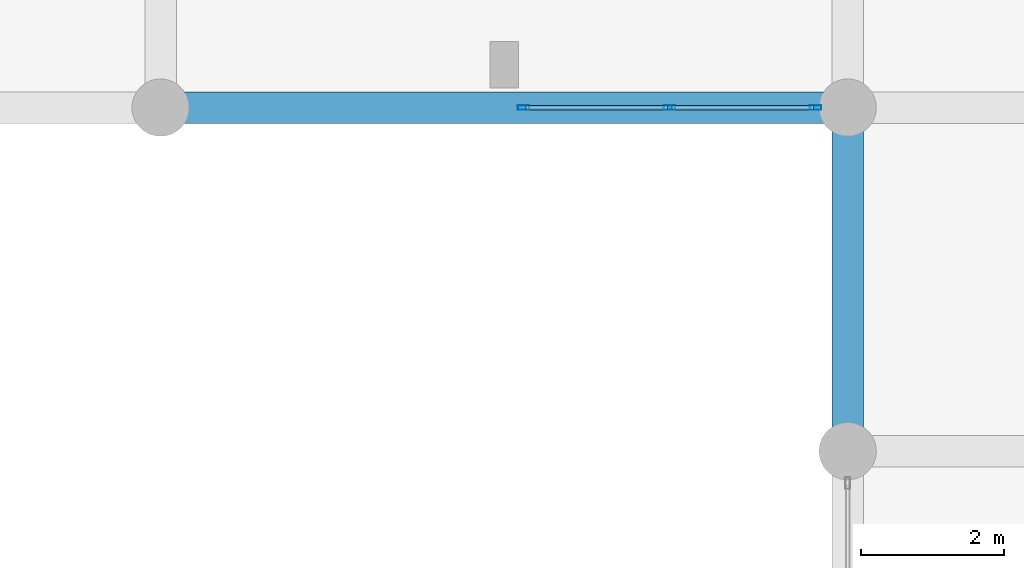
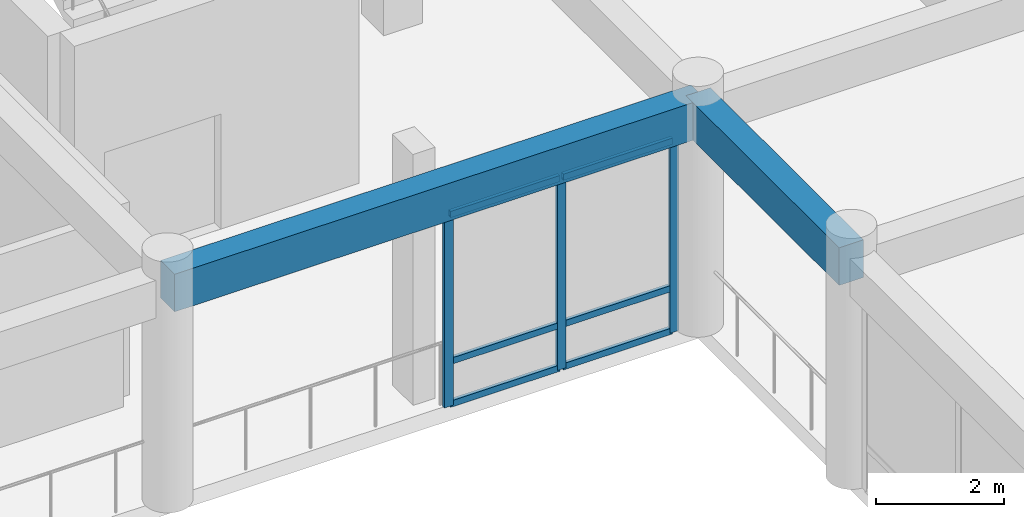
# One storey, part 42 of 133: 9 members, 2 beams, 1 element without a shape of its own.
"""IFC4 building model written with IfcOpenShell, lengths in metres."""

from ifc_helpers import new_model, si_unit, direction, frame, origin, origin_2d, place, context, subcontext, project, spatial, rectangle, hollow_rectangle, extrude, material, layer, layer_set, material_profile, profile_set, type_object, element, aggregate, save


model = new_model("IFC4")

# Units and contexts
model_context = context("Model", 3, precision=1e-05, world=origin(), true_north=direction((0.0, 1.0)))
body_context = subcontext(model_context, "Body", "Model", "MODEL_VIEW")
ifc_project = project(units=[si_unit("LENGTHUNIT", "METRE"), si_unit("AREAUNIT", "SQUARE_METRE"), si_unit("VOLUMEUNIT", "CUBIC_METRE"), si_unit("PLANEANGLEUNIT", "RADIAN"), si_unit("MASSUNIT", "GRAM", prefix="KILO")], contexts=[model_context])

# Site, building, storey
site_placement = place(None, origin())
site = spatial("IfcSite", under=ifc_project, at=site_placement, CompositionType="ELEMENT")
building_placement = place(site_placement, origin())
building = spatial("IfcBuilding", under=site, at=building_placement, Name="Nakhvara Creek Congress Hotel", CompositionType="ELEMENT")
storey_placement = place(building_placement, frame((0.0, 0.0, 11.39990234375)))
storey = spatial("IfcBuildingStorey", under=building, at=storey_placement, Name="L02", CompositionType="ELEMENT", Elevation=11.39990234375)

# Beams
ifc_material_1 = material(Name="Concrete C40/50", Category="concrete")
ifc_material_profile_1 = material_profile(ifc_material_1, rectangle(XDim=0.43994140625, YDim=0.719970703125, at=origin_2d()), Name="RC-BM 440x720", Category="LoadBearing")
ifc_profile_set_1 = profile_set([ifc_material_profile_1], Name="Concrete C40/50")
beam_type = type_object("IfcBeamType", Name="BM-RC-440X720", PredefinedType="BEAM", material=ifc_profile_set_1)
beam_1_placement = place(storey_placement, frame((115.199951171875, 76.800048828125, 4.06005859375), z_axis=(1.0, 0.0, 0.0), x_axis=(0.0, 1.0, 0.0)))
element("IfcBeam", 1, at=beam_1_placement, inside=storey, type_object=beam_type, Name="Beam B12-L02-1516", PredefinedType="BEAM", context=body_context, shape_type="SweptSolid", body=[
    extrude(rectangle(XDim=0.43994140625, YDim=0.719970703125, at=origin_2d()), origin(), (0.0, 0.0, 1.0), 9.60009765625),
])
beam_2_placement = place(storey_placement, frame((124.800048828125, 72.0, 4.06005859375), z_axis=(0.0, 1.0, 0.0), x_axis=(-1.0, 0.0, 0.0)))
element("IfcBeam", 2, at=beam_2_placement, inside=storey, type_object=beam_type, Name="Beam B12-L02-1533", PredefinedType="BEAM", context=body_context, shape_type="SweptSolid", body=[
    extrude(rectangle(XDim=0.43994140625, YDim=0.719970703125, at=origin_2d()), origin(), (0.0, 0.0, 1.0), 4.800048828125),
])

# Curtain wall, members
ifc_material_2 = material(Name="Bronze-anodised aluminium AW-6063-T6 and double-silver low-E glass", Category="aluminium")
ifc_layer = layer(ifc_material_2, 0.199951171875)
ifc_layer_set = layer_set([ifc_layer], Name="Bronze-anodised aluminium AW-6063-T6 and double-silver low-E glass")
curtain_wall_type = type_object("IfcCurtainWallType", Name="CW-POD-STICK", PredefinedType="NOTDEFINED", material=ifc_layer_set)
curtain_wall_placement = place(storey_placement, origin())
curtain_wall = element("IfcCurtainWall", 3, at=curtain_wall_placement, inside=storey, type_object=curtain_wall_type, Name="Curtain Wall CW042", PredefinedType="NOTDEFINED")
ifc_material_3 = material(Name="Bronze-anodised aluminium AW-6063-T6", Category="aluminium")
ifc_material_profile_2 = material_profile(ifc_material_3, hollow_rectangle(XDim=0.06494140625, YDim=0.159912109375, WallThickness=0.00390625, at=origin_2d()), Name="ALU-MULL 65x160x4", Category="LoadBearing")
ifc_profile_set_2 = profile_set([ifc_material_profile_2], Name="Bronze-anodised aluminium AW-6063-T6")
member_type_1 = type_object("IfcMemberType", Name="CW-MULL-160", PredefinedType="MULLION", material=ifc_profile_set_2)
member_1_placement = place(storey_placement, frame((124.3525390625, 76.800048828125, 0.0), z_axis=(0.0, 0.0, 1.0), x_axis=(0.0, -1.0, 0.0)))
member_1 = element("IfcMember", 4, at=member_1_placement, type_object=member_type_1, Name="CW042 mullion 1", PredefinedType="MULLION", context=body_context, shape_type="SweptSolid", body=[
    extrude(hollow_rectangle(XDim=0.06494140625, YDim=0.159912109375, WallThickness=0.00390625, at=origin_2d()), origin(), (0.0, 0.0, 1.0), 3.692138671875),
])
member_2_placement = place(storey_placement, frame((122.3125, 76.800048828125, 0.0), z_axis=(0.0, 0.0, 1.0), x_axis=(0.0, -1.0, 0.0)))
member_2 = element("IfcMember", 5, at=member_2_placement, type_object=member_type_1, Name="CW042 mullion 2", PredefinedType="MULLION", context=body_context, shape_type="SweptSolid", body=[
    extrude(hollow_rectangle(XDim=0.06494140625, YDim=0.159912109375, WallThickness=0.00390625, at=origin_2d()), origin(), (0.0, 0.0, 1.0), 3.692138671875),
])
member_3_placement = place(storey_placement, frame((120.2724609375, 76.800048828125, 0.0), z_axis=(0.0, 0.0, 1.0), x_axis=(0.0, -1.0, 0.0)))
member_3 = element("IfcMember", 6, at=member_3_placement, type_object=member_type_1, Name="CW042 mullion 3", PredefinedType="MULLION", context=body_context, shape_type="SweptSolid", body=[
    extrude(hollow_rectangle(XDim=0.06494140625, YDim=0.159912109375, WallThickness=0.00390625, at=origin_2d()), origin(), (0.0, 0.0, 1.0), 3.692138671875),
])
ifc_material_profile_3 = material_profile(ifc_material_3, hollow_rectangle(XDim=0.06494140625, YDim=0.1201171875, WallThickness=0.00390625, at=origin_2d()), Name="ALU-TRAN 65x120x4", Category="LoadBearing")
ifc_profile_set_3 = profile_set([ifc_material_profile_3], Name="Bronze-anodised aluminium AW-6063-T6")
member_type_2 = type_object("IfcMemberType", Name="CW-TRAN-120", PredefinedType="USERDEFINED", material=ifc_profile_set_3)
member_4_placement = place(storey_placement, frame((124.320068359375, 76.800048828125, 0.03271484375), z_axis=(-1.0, 0.0, 0.0), x_axis=(0.0, -1.0, 0.0)))
member_4 = element("IfcMember", 7, at=member_4_placement, type_object=member_type_2, Name="CW042 transom 1.1", ObjectType="TRANSOM", PredefinedType="USERDEFINED", context=body_context, shape_type="SweptSolid", body=[
    extrude(hollow_rectangle(XDim=0.06494140625, YDim=0.1201171875, WallThickness=0.00390625, at=origin_2d()), origin(), (0.0, 0.0, 1.0), 1.97509765625),
])
member_5_placement = place(storey_placement, frame((124.320068359375, 76.800048828125, 0.85009765625), z_axis=(-1.0, 0.0, 0.0), x_axis=(0.0, -1.0, 0.0)))
member_5 = element("IfcMember", 8, at=member_5_placement, type_object=member_type_2, Name="CW042 transom 1.2", ObjectType="TRANSOM", PredefinedType="USERDEFINED", context=body_context, shape_type="SweptSolid", body=[
    extrude(hollow_rectangle(XDim=0.06494140625, YDim=0.1201171875, WallThickness=0.00390625, at=origin_2d()), origin(), (0.0, 0.0, 1.0), 1.97509765625),
])
member_6_placement = place(storey_placement, frame((124.320068359375, 76.800048828125, 3.65966796875), z_axis=(-1.0, 0.0, 0.0), x_axis=(0.0, -1.0, 0.0)))
member_6 = element("IfcMember", 9, at=member_6_placement, type_object=member_type_2, Name="CW042 transom 1.3", ObjectType="TRANSOM", PredefinedType="USERDEFINED", context=body_context, shape_type="SweptSolid", body=[
    extrude(hollow_rectangle(XDim=0.06494140625, YDim=0.1201171875, WallThickness=0.00390625, at=origin_2d()), origin(), (0.0, 0.0, 1.0), 1.97509765625),
])
member_7_placement = place(storey_placement, frame((122.280029296875, 76.800048828125, 0.03271484375), z_axis=(-1.0, 0.0, 0.0), x_axis=(0.0, -1.0, 0.0)))
member_7 = element("IfcMember", 10, at=member_7_placement, type_object=member_type_2, Name="CW042 transom 2.1", ObjectType="TRANSOM", PredefinedType="USERDEFINED", context=body_context, shape_type="SweptSolid", body=[
    extrude(hollow_rectangle(XDim=0.06494140625, YDim=0.1201171875, WallThickness=0.00390625, at=origin_2d()), origin(), (0.0, 0.0, 1.0), 1.97509765625),
])
member_8_placement = place(storey_placement, frame((122.280029296875, 76.800048828125, 0.85009765625), z_axis=(-1.0, 0.0, 0.0), x_axis=(0.0, -1.0, 0.0)))
member_8 = element("IfcMember", 11, at=member_8_placement, type_object=member_type_2, Name="CW042 transom 2.2", ObjectType="TRANSOM", PredefinedType="USERDEFINED", context=body_context, shape_type="SweptSolid", body=[
    extrude(hollow_rectangle(XDim=0.06494140625, YDim=0.1201171875, WallThickness=0.00390625, at=origin_2d()), origin(), (0.0, 0.0, 1.0), 1.97509765625),
])
member_9_placement = place(storey_placement, frame((122.280029296875, 76.800048828125, 3.65966796875), z_axis=(-1.0, 0.0, 0.0), x_axis=(0.0, -1.0, 0.0)))
member_9 = element("IfcMember", 12, at=member_9_placement, type_object=member_type_2, Name="CW042 transom 2.3", ObjectType="TRANSOM", PredefinedType="USERDEFINED", context=body_context, shape_type="SweptSolid", body=[
    extrude(hollow_rectangle(XDim=0.06494140625, YDim=0.1201171875, WallThickness=0.00390625, at=origin_2d()), origin(), (0.0, 0.0, 1.0), 1.97509765625),
])
aggregate(curtain_wall, [member_1, member_2, member_3, member_4, member_5, member_6, member_7, member_8, member_9])

save(model, "model.ifc")
